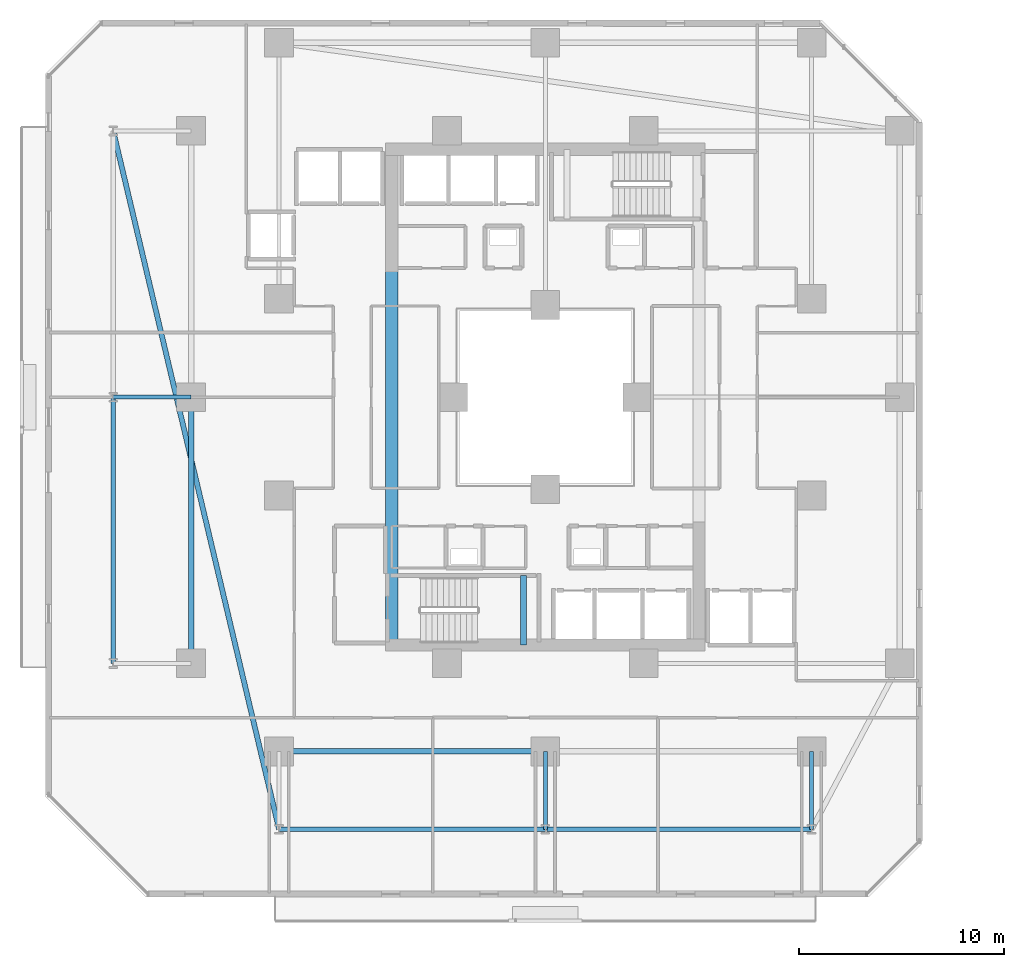
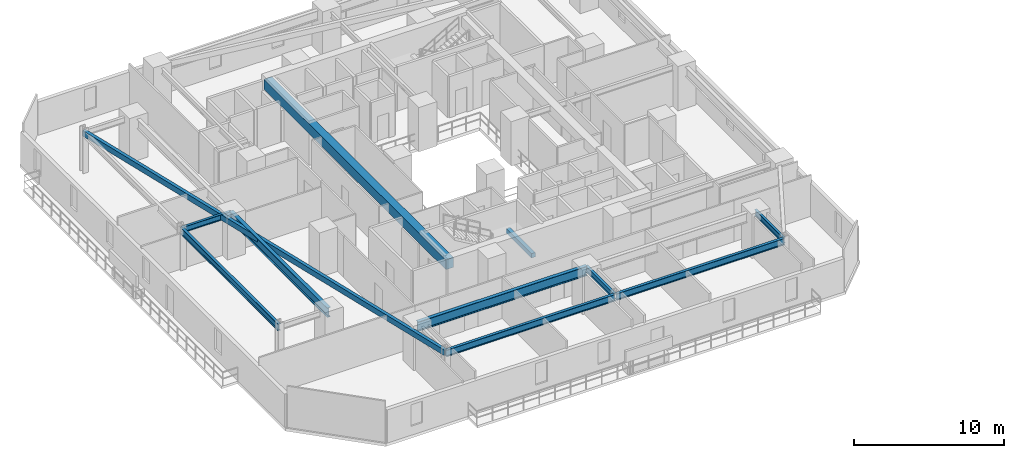
# One storey, part 4 of 33: 11 beams.
"""IFC4 building model written with IfcOpenShell, lengths in metres."""

from ifc_helpers import new_model, si_unit, direction, frame, origin, origin_2d, place, context, subcontext, project, spatial, rectangle, hollow_rectangle, i_section, extrude, material, material_profile, profile_set, type_object, element, save


model = new_model("IFC4")

# Units and contexts
model_context = context("Model", 3, precision=1e-05, world=origin(), true_north=direction((0.0, 1.0)))
body_context = subcontext(model_context, "Body", "Model", "MODEL_VIEW")
ifc_project = project(units=[si_unit("LENGTHUNIT", "METRE"), si_unit("AREAUNIT", "SQUARE_METRE"), si_unit("VOLUMEUNIT", "CUBIC_METRE"), si_unit("PLANEANGLEUNIT", "RADIAN"), si_unit("MASSUNIT", "GRAM", prefix="KILO")], contexts=[model_context])

# Site, building, storey
site_placement = place(None, origin())
site = spatial("IfcSite", under=ifc_project, at=site_placement, CompositionType="ELEMENT")
building_placement = place(site_placement, origin())
building = spatial("IfcBuilding", under=site, at=building_placement, Name="Thornwick Lancets Civic Towers", CompositionType="ELEMENT")
storey_placement = place(building_placement, frame((0.0, 0.0, 42.300048828125)))
storey = spatial("IfcBuildingStorey", under=building, at=storey_placement, Name="L10", CompositionType="ELEMENT", Elevation=42.300048828125)

# Beams
ifc_material_1 = material(Name="Concrete C60/75", Category="concrete")
ifc_material_profile_1 = material_profile(ifc_material_1, rectangle(XDim=0.60009765625, YDim=0.800048828125, at=origin_2d()), Name="RC 600x800")
ifc_profile_set_1 = profile_set([ifc_material_profile_1], Name="Concrete C60/75")
beam_type_1 = type_object("IfcBeamType", Name="BM_COUP_RC800", PredefinedType="BEAM", material=ifc_profile_set_1)
beam_1_placement = place(storey_placement, frame((18.0, 14.89990234375, 2.9599609375), z_axis=(0.0, 1.0, 0.0), x_axis=(-1.0, 0.0, 0.0)))
element("IfcBeam", 1, at=beam_1_placement, inside=storey, type_object=beam_type_1, Name="CB-L10-A2", PredefinedType="BEAM", context=body_context, shape_type="SweptSolid", body=[
    extrude(rectangle(XDim=0.60009765625, YDim=0.800048828125, at=origin_2d()), origin(), (0.0, 0.0, 1.0), 24.2001953125),
])
ifc_material_2 = material(Name="Steel S355JR", Category="steel")
ifc_material_profile_2 = material_profile(ifc_material_2, i_section(OverallWidth=0.2119140625, OverallDepth=0.54443359375, WebThickness=0.0126953125, FlangeThickness=0.021240234375, FilletRadius=0.0126953125, at=origin_2d()), Name="UKB 533x210x122")
ifc_profile_set_2 = profile_set([ifc_material_profile_2], Name="Steel S355JR")
beam_type_2 = type_object("IfcBeamType", Name="BM_EDGE_533_122", PredefinedType="SPANDREL", material=ifc_profile_set_2)
beam_2_placement = place(storey_placement, frame((12.5, 5.89990234375, 3.087646484375), z_axis=(1.0, 0.0, 0.0), x_axis=(0.0, 1.0, 0.0)))
element("IfcBeam", 2, at=beam_2_placement, inside=storey, type_object=beam_type_2, Name="BM-EDGE-L10-A-S0-1", PredefinedType="SPANDREL", context=body_context, shape_type="SweptSolid", body=[
    extrude(i_section(OverallWidth=0.2119140625, OverallDepth=0.54443359375, WebThickness=0.0126953125, FlangeThickness=0.021240234375, FilletRadius=0.0126953125, at=origin_2d()), origin(), (0.0, 0.0, 1.0), 13.0),
])
beam_3_placement = place(storey_placement, frame((25.580078125, 5.89990234375, 3.087646484375), z_axis=(1.0, 0.0, 0.0), x_axis=(0.0, 1.0, 0.0)))
element("IfcBeam", 3, at=beam_3_placement, inside=storey, type_object=beam_type_2, Name="BM-EDGE-L10-A-S0-2", PredefinedType="SPANDREL", context=body_context, shape_type="SweptSolid", body=[
    extrude(i_section(OverallWidth=0.2119140625, OverallDepth=0.54443359375, WebThickness=0.0126953125, FlangeThickness=0.021240234375, FilletRadius=0.0126953125, at=origin_2d()), origin(), (0.0, 0.0, 1.0), 12.919921875),
])
beam_4_placement = place(storey_placement, frame((4.39990234375, 14.0, 3.087646484375), z_axis=(0.0, 1.0, 0.0), x_axis=(-1.0, 0.0, 0.0)))
element("IfcBeam", 4, at=beam_4_placement, inside=storey, type_object=beam_type_2, Name="BM-EDGE-L10-A-S3-1", PredefinedType="SPANDREL", context=body_context, shape_type="SweptSolid", body=[
    extrude(i_section(OverallWidth=0.2119140625, OverallDepth=0.54443359375, WebThickness=0.0126953125, FlangeThickness=0.021240234375, FilletRadius=0.0126953125, at=origin_2d()), origin(), (0.0, 0.0, 1.0), 13.0),
])
ifc_material_profile_3 = material_profile(ifc_material_2, i_section(OverallWidth=0.26806640625, OverallDepth=0.769775390625, WebThickness=0.015625, FlangeThickness=0.025390625, FilletRadius=0.0166015625, at=origin_2d()), Name="UKB 762x267x197")
ifc_profile_set_3 = profile_set([ifc_material_profile_3], Name="Steel S355JR")
beam_type_3 = type_object("IfcBeamType", Name="BM_GIRD_762_197", PredefinedType="BEAM", material=ifc_profile_set_3)
for number, where, z_axis, x_axis, name in (
    (5, (12.5, 9.699951171875, 2.97509765625), (1.0, 0.0, 0.0), (0.0, 1.0, 0.0), "BM-SPINE-L10-A-0-1"),
    (6, (8.199951171875, 14.0, 2.97509765625), (0.0, 1.0, 0.0), (-1.0, 0.0, 0.0), "BM-SPINE-L10-A-9-10"),
):
    element("IfcBeam", number, at=place(storey_placement, frame(where, z_axis=z_axis, x_axis=x_axis)), inside=storey, type_object=beam_type_3, Name=name, PredefinedType="BEAM", context=body_context, shape_type="SweptSolid", body=[
        extrude(i_section(OverallWidth=0.26806640625, OverallDepth=0.769775390625, WebThickness=0.015625, FlangeThickness=0.025390625, FilletRadius=0.0166015625, at=origin_2d()), origin(), (0.0, 0.0, 1.0), 13.0),
    ])
ifc_material_profile_4 = material_profile(ifc_material_2, i_section(OverallWidth=0.19189453125, OverallDepth=0.46337890625, WebThickness=0.010498046875, FlangeThickness=0.017578125, FilletRadius=0.01025390625, at=origin_2d()), Name="UKB 457x191x89")
ifc_profile_set_4 = profile_set([ifc_material_profile_4], Name="Steel S355JR")
beam_type_4 = type_object("IfcBeamType", Name="BM_JOIST_457_89", PredefinedType="JOIST", material=ifc_profile_set_4)
for number, where, z_axis, x_axis, name in (
    (7, (25.5, 9.699951171875, 3.128173828125), (0.0, -1.0, 0.0), (1.0, 0.0, 0.0), "BM-RAD-L10-A02"),
    (8, (38.5, 9.699951171875, 3.128173828125), (0.0, -1.0, 0.0), (1.0, 0.0, 0.0), "BM-RAD-L10-A03"),
    (9, (8.199951171875, 27.0, 3.128173828125), (-1.0, 0.0, 0.0), (0.0, -1.0, 0.0), "BM-RAD-L10-A11"),
):
    element("IfcBeam", number, at=place(storey_placement, frame(where, z_axis=z_axis, x_axis=x_axis)), inside=storey, type_object=beam_type_4, Name=name, PredefinedType="JOIST", context=body_context, shape_type="SweptSolid", body=[
        extrude(i_section(OverallWidth=0.19189453125, OverallDepth=0.46337890625, WebThickness=0.010498046875, FlangeThickness=0.017578125, FilletRadius=0.01025390625, at=origin_2d()), origin(), (0.0, 0.0, 1.0), 3.800048828125),
    ])
ifc_material_profile_5 = material_profile(ifc_material_2, hollow_rectangle(XDim=0.25, YDim=0.449951171875, WallThickness=0.01611328125, at=origin_2d()), Name="RHS 450x250x16")
ifc_profile_set_5 = profile_set([ifc_material_profile_5], Name="Steel S355JR")
beam_type_5 = type_object("IfcBeamType", Name="BM_RING_RHS450", PredefinedType="BEAM", material=ifc_profile_set_5)
beam_5_placement = place(storey_placement, frame((4.39990234375, 40.0, 3.135009765625), z_axis=(0.231108201875, -0.972928054394, 0.0), x_axis=(0.972928054394, 0.231108201875, 0.0)))
element("IfcBeam", 10, at=beam_5_placement, inside=storey, type_object=beam_type_5, Name="BM-CHAMF-L10-A-C3", PredefinedType="BEAM", context=body_context, shape_type="SweptSolid", body=[
    extrude(hollow_rectangle(XDim=0.25, YDim=0.449951171875, WallThickness=0.01611328125, at=origin_2d()), origin(), (0.0, 0.0, 1.0), 35.048828125),
])
ifc_material_3 = material(Name="Concrete C40/50", Category="concrete")
ifc_material_profile_6 = material_profile(ifc_material_3, rectangle(XDim=0.300048828125, YDim=0.35009765625, at=origin_2d()), Name="RC 300x350")
ifc_profile_set_6 = profile_set([ifc_material_profile_6], Name="Concrete C40/50")
beam_type_6 = type_object("IfcBeamType", Name="BM_STAIR_LDG", PredefinedType="BEAM", material=ifc_profile_set_6)
beam_6_placement = place(storey_placement, frame((24.43505859375, 14.89990234375, 1.3779296875), z_axis=(0.0, 1.0, 0.0), x_axis=(-1.0, 0.0, 0.0)))
element("IfcBeam", 11, at=beam_6_placement, inside=storey, type_object=beam_type_6, Name="L10 ST-A1 Landing Support Beam 1", PredefinedType="BEAM", context=body_context, shape_type="SweptSolid", body=[
    extrude(rectangle(XDim=0.300048828125, YDim=0.35009765625, at=origin_2d()), origin(), (0.0, 0.0, 1.0), 3.400146484375),
])

save(model, "model.ifc")
